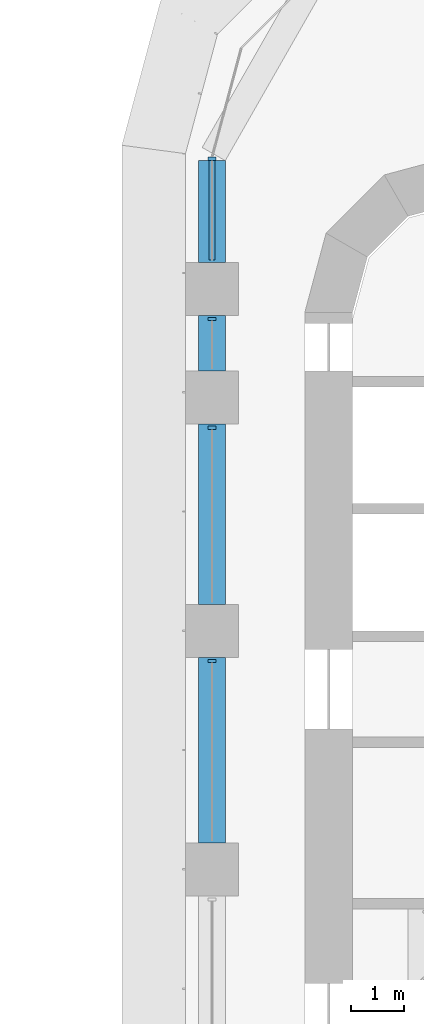
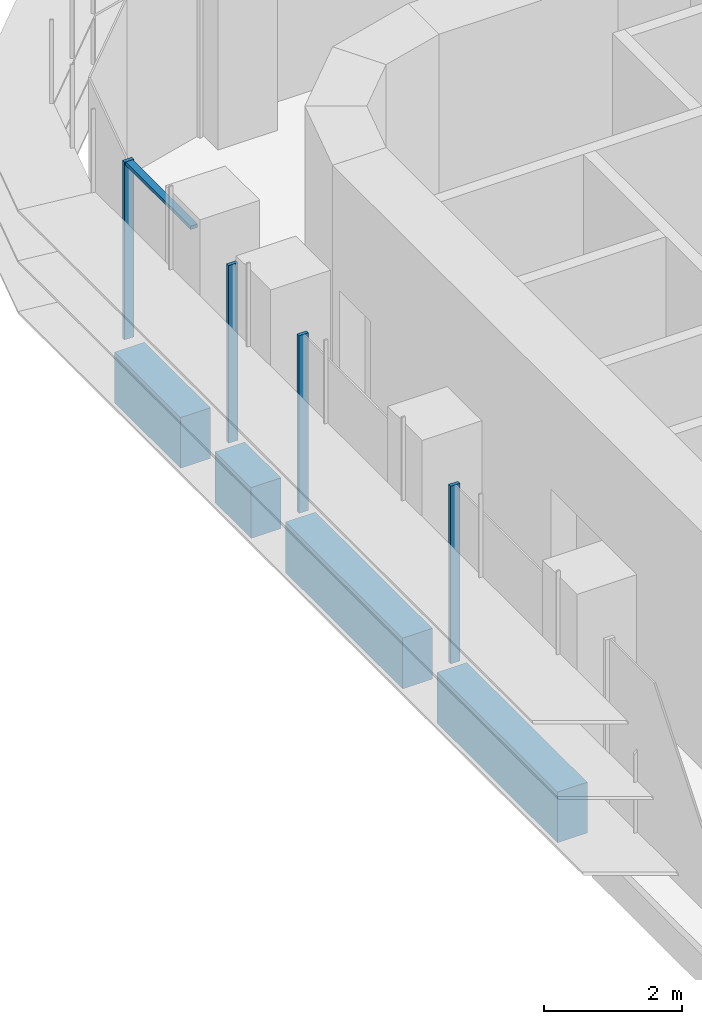
# One storey, part 7 of 23: 5 members, 4 beams, 1 element without a shape of its own.
"""IFC4 building model written with IfcOpenShell, lengths in metres."""

from ifc_helpers import new_model, si_unit, direction, frame, origin, origin_2d, place, context, subcontext, project, spatial, polyline, rectangle, outline, extrude, source, transform, mapped, material, material_profile, profile_set, type_object, element, aggregate, save


model = new_model("IFC4")

# Units and contexts
model_context = context("Model", 3, precision=1e-05, world=origin(), true_north=direction((0.0, 1.0)))
body_context = subcontext(model_context, "Body", "Model", "MODEL_VIEW")
ifc_project = project(units=[si_unit("LENGTHUNIT", "METRE"), si_unit("AREAUNIT", "SQUARE_METRE"), si_unit("VOLUMEUNIT", "CUBIC_METRE"), si_unit("PLANEANGLEUNIT", "RADIAN"), si_unit("MASSUNIT", "GRAM", prefix="KILO")], contexts=[model_context])

# Site, building, storey
site_placement = place(None, origin())
site = spatial("IfcSite", under=ifc_project, at=site_placement, CompositionType="ELEMENT")
building_placement = place(site_placement, origin())
building = spatial("IfcBuilding", under=site, at=building_placement, Name="Zarbagh Exchange Tower", CompositionType="ELEMENT")
storey_placement = place(building_placement, frame((0.0, 0.0, 48.0)))
storey = spatial("IfcBuildingStorey", under=building, at=storey_placement, Name="L10", CompositionType="ELEMENT", Elevation=48.0)

# Beams
ifc_material_1 = material(Name="Concrete C60/75", Category="concrete")
ifc_material_profile = material_profile(ifc_material_1, rectangle(XDim=0.5, YDim=0.89990234375, at=origin_2d()), Name="RC spandrel beam 500 x 900 C60/75")
ifc_profile_set = profile_set([ifc_material_profile], Name="Concrete C60/75")
beam_type = type_object("IfcBeamType", Name="RC spandrel beam 500 x 900 C60/75", PredefinedType="SPANDREL", material=ifc_profile_set)
beam_1_placement = place(storey_placement, frame((-6.25, 16.25, -0.60009765625), z_axis=(0.0, 1.0, 0.0), x_axis=(-1.0, 0.0, 0.0)))
element("IfcBeam", 1, at=beam_1_placement, inside=storey, type_object=beam_type, Name="RC spandrel beam", PredefinedType="SPANDREL", context=body_context, shape_type="SweptSolid", body=[
    extrude(rectangle(XDim=0.5, YDim=0.89990234375, at=origin_2d()), origin(), (0.0, 0.0, 1.0), 3.5),
])
beam_2_placement = place(storey_placement, frame((-6.25, 20.75, -0.60009765625), z_axis=(0.0, 1.0, 0.0), x_axis=(-1.0, 0.0, 0.0)))
element("IfcBeam", 2, at=beam_2_placement, inside=storey, type_object=beam_type, Name="RC spandrel beam", PredefinedType="SPANDREL", context=body_context, shape_type="SweptSolid", body=[
    extrude(rectangle(XDim=0.5, YDim=0.89990234375, at=origin_2d()), origin(), (0.0, 0.0, 1.0), 3.39990234375),
])
beam_3_placement = place(storey_placement, frame((-6.25, 25.14990234375, -0.60009765625), z_axis=(0.0, 1.0, 0.0), x_axis=(-1.0, 0.0, 0.0)))
element("IfcBeam", 3, at=beam_3_placement, inside=storey, type_object=beam_type, Name="RC spandrel beam", PredefinedType="SPANDREL", context=body_context, shape_type="SweptSolid", body=[
    extrude(rectangle(XDim=0.5, YDim=0.89990234375, at=origin_2d()), origin(), (0.0, 0.0, 1.0), 1.050048828125),
])
beam_4_placement = place(storey_placement, frame((-6.25, 27.199951171875, -0.60009765625), z_axis=(0.0, 1.0, 0.0), x_axis=(-1.0, 0.0, 0.0)))
element("IfcBeam", 4, at=beam_4_placement, inside=storey, type_object=beam_type, Name="RC spandrel beam", PredefinedType="SPANDREL", context=body_context, shape_type="SweptSolid", body=[
    extrude(rectangle(XDim=0.5, YDim=0.89990234375, at=origin_2d()), origin(), (0.0, 0.0, 1.0), 1.91796875),
])

# Curtain wall, members
ifc_material_2 = material(Name="Anodised aluminium frame and glazing", Category="aluminium")
curtain_wall_type = type_object("IfcCurtainWallType", Name="CWA Ribbon glazing, lower zones", PredefinedType="NOTDEFINED", material=ifc_material_2)
curtain_wall_placement = place(storey_placement, origin())
curtain_wall = element("IfcCurtainWall", 5, at=curtain_wall_placement, inside=storey, type_object=curtain_wall_type, Name="CWA28 curtain wall", PredefinedType="NOTDEFINED")
ifc_material_3 = material(Name="Anodised aluminium frame", Category="aluminium")
member_type_1 = type_object("IfcMemberType", Name="MUA Mullion, anodised aluminium frame", PredefinedType="MULLION", material=ifc_material_3)
shared_shape_1 = source(origin(), body_context, "Body", "SweptSolid", [
    extrude(outline(polyline([(0.0, -0.080078125), (0.06005859375, -0.080078125), (0.06005859375, 0.080078125), (0.0, 0.080078125), (0.0, -0.080078125)])), origin(), (0.0, 0.0, 1.0), 3.14990234375),
])
placement = place(storey_placement, origin())
member_1 = element("IfcMember", 6, at=placement, type_object=member_type_1, Name="CWA28 mullion 1.1", PredefinedType="MULLION", context=body_context, shape_type="MappedRepresentation", body=[
    mapped(shared_shape_1, transform((-6.25, 29.18408203125, 0.0), x_axis=(0.0, -1.0, 0.0), y_axis=(1.0, 0.0, 0.0), z_axis=(0.0, 0.0, 1.0))),
])
member_2 = element("IfcMember", 7, at=placement, type_object=member_type_1, Name="CWA28 mullion 2.1", PredefinedType="MULLION", context=body_context, shape_type="MappedRepresentation", body=[
    mapped(shared_shape_1, transform((-6.25, 26.159912109375, 0.0), x_axis=(0.0, -1.0, 0.0), y_axis=(1.0, 0.0, 0.0), z_axis=(0.0, 0.0, 1.0))),
])
member_3 = element("IfcMember", 8, at=placement, type_object=member_type_1, Name="CWA28 mullion 3.1", PredefinedType="MULLION", context=body_context, shape_type="MappedRepresentation", body=[
    mapped(shared_shape_1, transform((-6.25, 24.10986328125, 0.0), x_axis=(0.0, -1.0, 0.0), y_axis=(1.0, 0.0, 0.0), z_axis=(0.0, 0.0, 1.0))),
])
member_4 = element("IfcMember", 9, at=placement, type_object=member_type_1, Name="CWA28 mullion 4.1", PredefinedType="MULLION", context=body_context, shape_type="MappedRepresentation", body=[
    mapped(shared_shape_1, transform((-6.25, 19.7099609375, 0.0), x_axis=(0.0, -1.0, 0.0), y_axis=(1.0, 0.0, 0.0), z_axis=(0.0, 0.0, 1.0))),
])
member_type_2 = type_object("IfcMemberType", Name="TRA Transom, anodised aluminium frame", PredefinedType="USERDEFINED", material=ifc_material_3)
shared_shape_2 = source(origin(), body_context, "Body", "SweptSolid", [
    extrude(outline(polyline([(-0.06005859375, -0.06005859375), (0.0, -0.06005859375), (0.0, 0.06005859375), (-0.06005859375, 0.06005859375), (-0.06005859375, -0.06005859375)])), origin(), (0.0, 0.0, 1.0), 1.88427734375),
])
member_5 = element("IfcMember", 10, at=placement, type_object=member_type_2, Name="CWA28 transom 1.1", ObjectType="TRANSOM", PredefinedType="USERDEFINED", context=body_context, shape_type="MappedRepresentation", body=[
    mapped(shared_shape_2, transform((-6.25, 29.124267578125, 3.14990234375), x_axis=(0.0, 0.0, 1.0), y_axis=(-1.0, 0.0, 0.0), z_axis=(0.0, -1.0, 0.0))),
])
aggregate(curtain_wall, [member_1, member_5, member_2, member_3, member_4])

save(model, "model.ifc")
